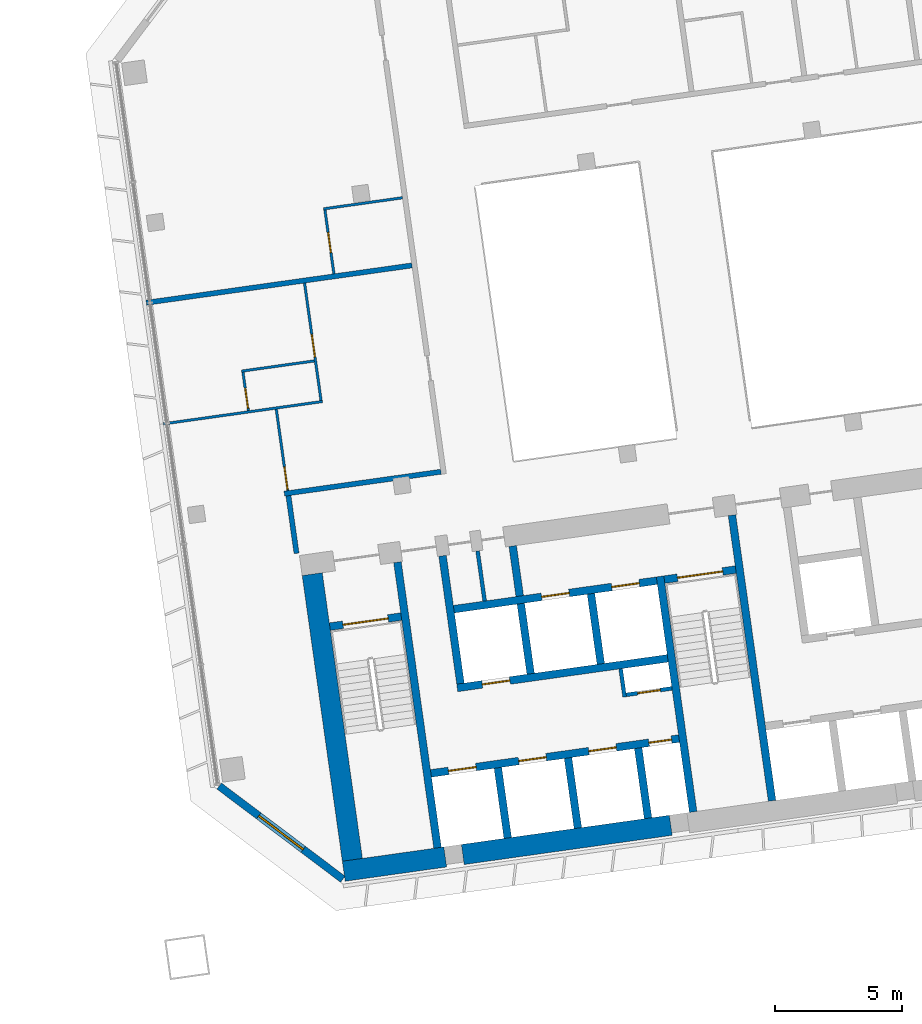
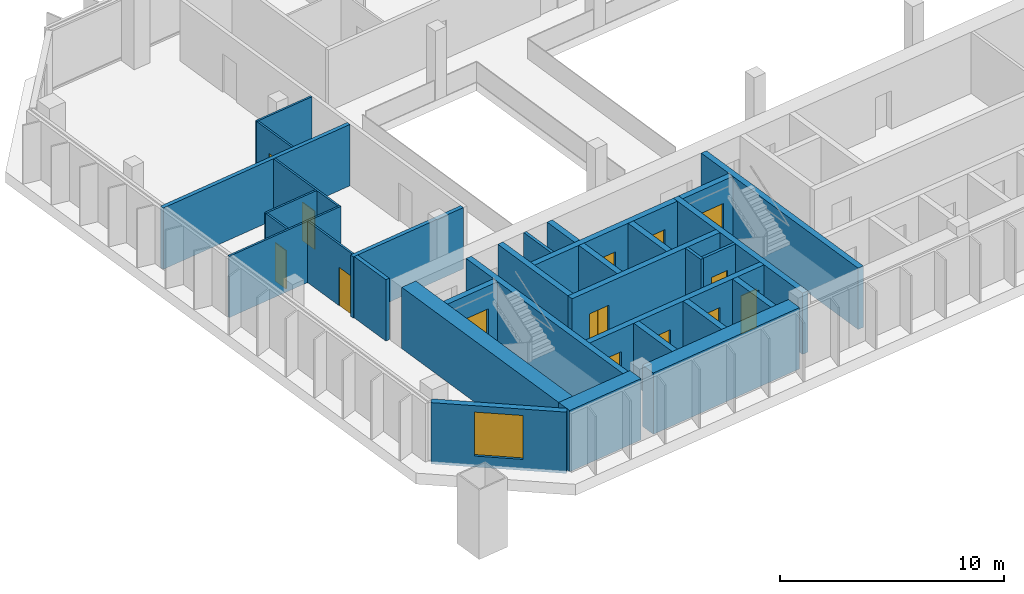
# One storey, part 18 of 25: 32 walls, 14 doors, 1 window, 15 openings.
"""IFC4 building model written with IfcOpenShell, lengths in metres."""

from ifc_helpers import new_model, si_unit, direction, frame, frame_2d, origin, place, context, subcontext, project, spatial, rectangle, extrude, material, layer, layer_set, type_object, element, fill, save


model = new_model("IFC4")

# Units and contexts
model_context = context("Model", 3, precision=1e-05, world=origin(), true_north=direction((0.0, 1.0)))
body_context = subcontext(model_context, "Body", "Model", "MODEL_VIEW")
ifc_project = project(units=[si_unit("LENGTHUNIT", "METRE"), si_unit("AREAUNIT", "SQUARE_METRE"), si_unit("VOLUMEUNIT", "CUBIC_METRE"), si_unit("PLANEANGLEUNIT", "RADIAN"), si_unit("MASSUNIT", "GRAM", prefix="KILO")], contexts=[model_context])

# Site, building, storey
site_placement = place(None, origin())
site = spatial("IfcSite", under=ifc_project, at=site_placement, CompositionType="ELEMENT")
building_placement = place(site_placement, origin())
building = spatial("IfcBuilding", under=site, at=building_placement, Name="Mirante Cascada Hotel Towers", CompositionType="ELEMENT")
storey_placement = place(building_placement, frame((0.0, 0.0, 136.7)))
storey = spatial("IfcBuildingStorey", under=building, at=storey_placement, Name="L31", CompositionType="ELEMENT", Elevation=136.7)

# Walls
ifc_material_1 = material(Name="Fire-rated plasterboard on metal studs")
ifc_layer_1 = layer(ifc_material_1, 0.2)
ifc_layer_set_1 = layer_set([ifc_layer_1], Name="Compartment wall 200 EI 120")
wall_type_1 = type_object("IfcWallType", Name="Compartment wall 200 EI 120", PredefinedType="PARTITIONING", material=ifc_layer_set_1)
wall_1_placement = place(storey_placement, frame((40.97, -3.8917, 0.0), z_axis=(0.0, 0.0, 1.0), x_axis=(-0.9902685, -0.1391698, 0.0)))
element("IfcWall", 1, at=wall_1_placement, inside=storey, type_object=wall_type_1, Name="Wall 2-L31-03", PredefinedType="PARTITIONING", context=body_context, shape_type="SweptSolid", body=[
    extrude(rectangle(XDim=6.2499, YDim=0.2, at=frame_2d((3.125, 0.0))), origin(), (0.0, 0.0, 1.0), 3.35),
])
wall_2_placement = place(storey_placement, frame((39.8242, 4.2615, 0.0), z_axis=(0.0, 0.0, 1.0), x_axis=(-0.9902686, -0.1391691, 0.0)))
element("IfcWall", 2, at=wall_2_placement, inside=storey, type_object=wall_type_1, Name="Wall 2-L31-09", PredefinedType="PARTITIONING", context=body_context, shape_type="SweptSolid", body=[
    extrude(rectangle(XDim=10.6001, YDim=0.2, at=frame_2d((5.3, 0.0))), origin(), (0.0, 0.0, 1.0), 3.35),
])
wall_3_placement = place(storey_placement, frame((34.9433, -4.8397, 0.0), z_axis=(0.0, 0.0, 1.0), x_axis=(0.1391749, -0.9902678, 0.0)))
element("IfcWall", 3, at=wall_3_placement, inside=storey, type_object=wall_type_1, Name="Wall 2-L31-23", PredefinedType="PARTITIONING", context=body_context, shape_type="SweptSolid", body=[
    extrude(rectangle(XDim=2.3, YDim=0.2, at=frame_2d((1.15, 0.0))), origin(), (0.0, 0.0, 1.0), 3.35),
])
ifc_material_2 = material(Name="Masonry block", Category="masonry")
ifc_layer_2 = layer(ifc_material_2, 0.15)
ifc_layer_set_2 = layer_set([ifc_layer_2], Name="Core room partition 150 block EI 30")
wall_type_2 = type_object("IfcWallType", Name="Core room partition 150 block EI 30", PredefinedType="PARTITIONING", material=ifc_layer_set_2)
wall_4_placement = place(storey_placement, frame((48.2295, -12.793, 0.0), z_axis=(0.0, 0.0, 1.0), x_axis=(-0.1391935, 0.9902652, 0.0)))
element("IfcWall", 4, at=wall_4_placement, inside=storey, type_object=wall_type_2, Name="Core wall partition T2 L31 2", PredefinedType="PARTITIONING", context=body_context, shape_type="SweptSolid", body=[
    extrude(rectangle(XDim=1.1251, YDim=0.15, at=frame_2d((0.5626, 0.0))), origin(), (0.0, 0.0, 1.0), 3.35),
])

# Wall, opening, door
wall_5_placement = place(storey_placement, frame((48.2933, -12.7083, 0.0), z_axis=(0.0, 0.0, 1.0), x_axis=(0.990268, 0.1391734, 0.0)))
wall_5 = element("IfcWall", 5, at=wall_5_placement, inside=storey, type_object=wall_type_2, Name="Core wall partition T2 L31 3", PredefinedType="PARTITIONING", context=body_context, shape_type="SweptSolid", body=[
    extrude(rectangle(XDim=1.8251, YDim=0.15, at=frame_2d((0.9126, 0.0))), origin(), (0.0, 0.0, 1.0), 3.35),
])
opening_1_placement = place(wall_5_placement, frame((0.4625, 0.0, 0.0)))
opening_1 = element("IfcOpeningElement", 6, at=opening_1_placement, cuts=wall_5, Name="Opening D2-31-C23", PredefinedType="OPENING", context=body_context, shape_type="SweptSolid", body=[
    extrude(rectangle(XDim=0.9, YDim=2.1, at=frame_2d((0.45, 1.05))), frame((0.0, 0.075, 0.0), z_axis=(0.0, -1.0, 0.0), x_axis=(1.0, 0.0, 0.0)), (0.0, 0.0, 1.0), 0.15),
])
ifc_material_3 = material(Name="Hollow metal fire door leaf")
door_type_1 = type_object("IfcDoorType", Name="Fire door 900x2100 FD60", OperationType="NOTDEFINED", PredefinedType="DOOR", material=ifc_material_3)
door_1_placement = place(opening_1_placement, frame((0.9, 0.0, 0.0), z_axis=(0.0, 0.0, 1.0), x_axis=(-1.0, 0.0, 0.0)))
door_1 = element("IfcDoor", 7, at=door_1_placement, inside=storey, type_object=door_type_1, Name="Riser door T2 L31 23", OperationType="SINGLE_SWING_RIGHT", OverallHeight=2.1, OverallWidth=0.9, PredefinedType="DOOR", context=body_context, shape_type="SweptSolid", body=[
    extrude(rectangle(XDim=0.9, YDim=2.1, at=frame_2d((0.45, 1.05))), frame((0.0, 0.025, 0.0), z_axis=(0.0, -1.0, 0.0), x_axis=(1.0, 0.0, 0.0)), (0.0, 0.0, 1.0), 0.05),
])
fill(opening_1, door_1)

# Walls
wall_6_placement = place(storey_placement, frame((42.6979, -9.0009, 0.0), z_axis=(0.0, 0.0, 1.0), x_axis=(-0.1391529, 0.9902709, 0.0)))
element("IfcWall", 8, at=wall_6_placement, inside=storey, type_object=wall_type_2, Name="Core wall partition T2 L31 4", PredefinedType="PARTITIONING", context=body_context, shape_type="SweptSolid", body=[
    extrude(rectangle(XDim=2.0, YDim=0.15, at=frame_2d((1.0, 0.0))), origin(), (0.0, 0.0, 1.0), 3.35),
])
ifc_material_4 = material(Name="Masonry block", Category="masonry")
ifc_layer_3 = layer(ifc_material_4, 0.3)
ifc_layer_set_3 = layer_set([ifc_layer_3], Name="Core wall 300 block EI 120")
wall_type_3 = type_object("IfcWallType", Name="Core wall 300 block EI 120", PredefinedType="PARTITIONING", material=ifc_layer_set_3)
wall_7_placement = place(storey_placement, frame((44.0843, -8.8061, 0.0), z_axis=(0.0, 0.0, 1.0), x_axis=(-0.1391951, 0.990265, 0.0)))
element("IfcWall", 9, at=wall_7_placement, inside=storey, type_object=wall_type_3, Name="Core wall partition T2 L31 1", PredefinedType="PARTITIONING", context=body_context, shape_type="SweptSolid", body=[
    extrude(rectangle(XDim=2.0001, YDim=0.3, at=frame_2d((1.0001, 0.0))), origin(), (0.0, 0.0, 1.0), 3.35),
])
ifc_material_5 = material(Name="Plasterboard on metal studs")
ifc_layer_4 = layer(ifc_material_5, 0.1)
ifc_layer_set_4 = layer_set([ifc_layer_4], Name="Partition 100")
wall_type_4 = type_object("IfcWallType", Name="Partition 100", PredefinedType="PARTITIONING", material=ifc_layer_set_4)
wall_8_placement = place(storey_placement, frame((30.0, -2.0, 0.0), z_axis=(0.0, 0.0, 1.0), x_axis=(0.9902691, 0.1391656, 0.0)))
element("IfcWall", 10, at=wall_8_placement, inside=storey, type_object=wall_type_4, Name="Wall 2-L31-04", PredefinedType="PARTITIONING", context=body_context, shape_type="SweptSolid", body=[
    extrude(rectangle(XDim=6.35, YDim=0.1, at=frame_2d((3.175, 0.0))), origin(), (0.0, 0.0, 1.0), 3.35),
])
wall_9_placement = place(storey_placement, frame((33.0901, 0.0836, 0.0), z_axis=(0.0, 0.0, 1.0), x_axis=(0.9902683, 0.1391714, 0.0)))
element("IfcWall", 11, at=wall_9_placement, inside=storey, type_object=wall_type_4, Name="Wall 2-L31-06", PredefinedType="PARTITIONING", context=body_context, shape_type="SweptSolid", body=[
    extrude(rectangle(XDim=2.9, YDim=0.1, at=frame_2d((1.45, 0.0))), origin(), (0.0, 0.0, 1.0), 3.35),
])
wall_10_placement = place(storey_placement, frame((39.4484, 6.9352, 0.0), z_axis=(0.0, 0.0, 1.0), x_axis=(-0.9902676, -0.1391765, 0.0)))
element("IfcWall", 12, at=wall_10_placement, inside=storey, type_object=wall_type_4, Name="Wall 2-L31-11", PredefinedType="PARTITIONING", context=body_context, shape_type="SweptSolid", body=[
    extrude(rectangle(XDim=3.15, YDim=0.1, at=frame_2d((1.575, 0.0))), origin(), (0.0, 0.0, 1.0), 3.35),
])

# Wall, opening, door
wall_11_placement = place(storey_placement, frame((33.36, -1.4773, 0.0), z_axis=(0.0, 0.0, 1.0), x_axis=(-0.1391749, 0.9902678, 0.0)))
wall_11 = element("IfcWall", 13, at=wall_11_placement, inside=storey, type_object=wall_type_4, Name="Wall 2-L31-22", PredefinedType="PARTITIONING", context=body_context, shape_type="SweptSolid", body=[
    extrude(rectangle(XDim=1.5333, YDim=0.1, at=frame_2d((0.7667, 0.0))), origin(), (0.0, 0.0, 1.0), 3.35),
])
opening_2_placement = place(wall_11_placement, frame((0.1, 0.0, 0.0)))
opening_2 = element("IfcOpeningElement", 14, at=opening_2_placement, cuts=wall_11, Name="Opening D2-L31-18", PredefinedType="OPENING", context=body_context, shape_type="SweptSolid", body=[
    extrude(rectangle(XDim=0.8, YDim=2.1, at=frame_2d((0.4, 1.05))), frame((0.0, 0.05, 0.0), z_axis=(0.0, -1.0, 0.0), x_axis=(1.0, 0.0, 0.0)), (0.0, 0.0, 1.0), 0.1),
])
ifc_material_6 = material(Name="Timber door leaf", Category="wood")
door_type_2 = type_object("IfcDoorType", Name="Bathroom door DG4 800x2100", OperationType="SINGLE_SWING_LEFT", PredefinedType="DOOR", material=ifc_material_6)
door_2_placement = place(opening_2_placement, origin())
door_2 = element("IfcDoor", 15, at=door_2_placement, inside=storey, type_object=door_type_2, Name="Door D2-L31-18", OperationType="SINGLE_SWING_LEFT", OverallHeight=2.1, OverallWidth=0.8, PredefinedType="DOOR", context=body_context, shape_type="SweptSolid", body=[
    extrude(rectangle(XDim=0.8, YDim=2.1, at=frame_2d((0.4, 1.05))), frame((0.0, 0.025, 0.0), z_axis=(0.0, -1.0, 0.0), x_axis=(1.0, 0.0, 0.0)), (0.0, 0.0, 1.0), 0.05),
])
fill(opening_2, door_2)

wall_12_placement = place(storey_placement, frame((34.9155, -4.6416, 0.0), z_axis=(0.0, 0.0, 1.0), x_axis=(-0.1391681, 0.9902688, 0.0)))
wall_12 = element("IfcWall", 16, at=wall_12_placement, inside=storey, type_object=wall_type_4, Name="Wall 2-L31-24", PredefinedType="PARTITIONING", context=body_context, shape_type="SweptSolid", body=[
    extrude(rectangle(XDim=3.25, YDim=0.1, at=frame_2d((1.625, 0.0))), origin(), (0.0, 0.0, 1.0), 3.35),
])
opening_3_placement = place(wall_12_placement, frame((0.05, 0.0, 0.0)))
opening_3 = element("IfcOpeningElement", 17, at=opening_3_placement, cuts=wall_12, Name="Opening D2-L31-19", PredefinedType="OPENING", context=body_context, shape_type="SweptSolid", body=[
    extrude(rectangle(XDim=0.9, YDim=2.1, at=frame_2d((0.45, 1.05))), frame((0.0, 0.05, 0.0), z_axis=(0.0, -1.0, 0.0), x_axis=(1.0, 0.0, 0.0)), (0.0, 0.0, 1.0), 0.1),
])
ifc_material_7 = material(Name="Timber door leaf", Category="wood")
door_type_3 = type_object("IfcDoorType", Name="Room door DG3 900x2100", OperationType="SINGLE_SWING_LEFT", PredefinedType="DOOR", material=ifc_material_7)
door_3_placement = place(opening_3_placement, origin())
door_3 = element("IfcDoor", 18, at=door_3_placement, inside=storey, type_object=door_type_3, Name="Door D2-L31-19", OperationType="SINGLE_SWING_LEFT", OverallHeight=2.1, OverallWidth=0.9, PredefinedType="DOOR", context=body_context, shape_type="SweptSolid", body=[
    extrude(rectangle(XDim=0.9, YDim=2.1, at=frame_2d((0.45, 1.05))), frame((0.0, 0.025, 0.0), z_axis=(0.0, -1.0, 0.0), x_axis=(1.0, 0.0, 0.0)), (0.0, 0.0, 1.0), 0.05),
])
fill(opening_3, door_3)

wall_13_placement = place(storey_placement, frame((35.5799, 3.564, 0.0), z_axis=(0.0, 0.0, 1.0), x_axis=(0.139176, -0.9902677, 0.0)))
wall_13 = element("IfcWall", 19, at=wall_13_placement, inside=storey, type_object=wall_type_4, Name="Wall 2-L31-25", PredefinedType="PARTITIONING", context=body_context, shape_type="SweptSolid", body=[
    extrude(rectangle(XDim=4.6833, YDim=0.1, at=frame_2d((2.3416, 0.0))), origin(), (0.0, 0.0, 1.0), 3.35),
])
opening_4_placement = place(wall_13_placement, frame((2.05, 0.0, 0.0)))
opening_4 = element("IfcOpeningElement", 20, at=opening_4_placement, cuts=wall_13, Name="Opening D2-L31-20", PredefinedType="OPENING", context=body_context, shape_type="SweptSolid", body=[
    extrude(rectangle(XDim=0.9, YDim=2.1, at=frame_2d((0.45, 1.05))), frame((0.0, 0.05, 0.0), z_axis=(0.0, -1.0, 0.0), x_axis=(1.0, 0.0, 0.0)), (0.0, 0.0, 1.0), 0.1),
])
door_4_placement = place(opening_4_placement, origin())
door_4 = element("IfcDoor", 21, at=door_4_placement, inside=storey, type_object=door_type_3, Name="Door D2-L31-20", OperationType="SINGLE_SWING_LEFT", OverallHeight=2.1, OverallWidth=0.9, PredefinedType="DOOR", context=body_context, shape_type="SweptSolid", body=[
    extrude(rectangle(XDim=0.9, YDim=2.1, at=frame_2d((0.45, 1.05))), frame((0.0, 0.025, 0.0), z_axis=(0.0, -1.0, 0.0), x_axis=(1.0, 0.0, 0.0)), (0.0, 0.0, 1.0), 0.05),
])
fill(opening_4, door_4)

wall_14_placement = place(storey_placement, frame((36.7404, 3.9291, 0.0), z_axis=(0.0, 0.0, 1.0), x_axis=(-0.1391755, 0.9902677, 0.0)))
wall_14 = element("IfcWall", 22, at=wall_14_placement, inside=storey, type_object=wall_type_4, Name="Wall 2-L31-26", PredefinedType="PARTITIONING", context=body_context, shape_type="SweptSolid", body=[
    extrude(rectangle(XDim=2.55, YDim=0.1, at=frame_2d((1.275, 0.0))), origin(), (0.0, 0.0, 1.0), 3.35),
])
opening_5_placement = place(wall_14_placement, frame((0.85, 0.0, 0.0)))
opening_5 = element("IfcOpeningElement", 23, at=opening_5_placement, cuts=wall_14, Name="Opening D2-L31-21", PredefinedType="OPENING", context=body_context, shape_type="SweptSolid", body=[
    extrude(rectangle(XDim=0.8, YDim=2.1, at=frame_2d((0.4, 1.05))), frame((0.0, 0.05, 0.0), z_axis=(0.0, -1.0, 0.0), x_axis=(1.0, 0.0, 0.0)), (0.0, 0.0, 1.0), 0.1),
])
door_5_placement = place(opening_5_placement, origin())
door_5 = element("IfcDoor", 24, at=door_5_placement, inside=storey, type_object=door_type_2, Name="Door D2-L31-21", OperationType="SINGLE_SWING_LEFT", OverallHeight=2.1, OverallWidth=0.8, PredefinedType="DOOR", context=body_context, shape_type="SweptSolid", body=[
    extrude(rectangle(XDim=0.8, YDim=2.1, at=frame_2d((0.4, 1.05))), frame((0.0, 0.025, 0.0), z_axis=(0.0, -1.0, 0.0), x_axis=(1.0, 0.0, 0.0)), (0.0, 0.0, 1.0), 0.05),
])
fill(opening_5, door_5)

# Wall, opening, window
ifc_material_8 = material(Name="Precast concrete C40/50", Category="concrete")
ifc_layer_5 = layer(ifc_material_8, 0.3)
ifc_layer_set_5 = layer_set([ifc_layer_5], Name="Precast concrete C40/50 cladding wall 300")
wall_type_5 = type_object("IfcWallType", Name="Precast concrete C40/50 cladding wall 300", PredefinedType="STANDARD", material=ifc_layer_set_5)
wall_15_placement = place(storey_placement, frame((32.2074, -16.3138, 0.0), z_axis=(0.0, 0.0, 1.0), x_axis=(0.7986362, -0.6018141, 0.0)))
wall_15 = element("IfcWall", 25, at=wall_15_placement, inside=storey, type_object=wall_type_5, Name="Corner cladding wall T2 L31 inner rear", PredefinedType="STANDARD", context=body_context, shape_type="SweptSolid", body=[
    extrude(rectangle(XDim=6.1157, YDim=0.3, at=frame_2d((3.0578, 0.0))), origin(), (0.0, 0.0, 1.0), 3.35),
])
opening_6_placement = place(wall_15_placement, frame((1.9578, 0.0, 0.6)))
opening_6 = element("IfcOpeningElement", 26, at=opening_6_placement, cuts=wall_15, Name="Opening W2-31-06", PredefinedType="OPENING", context=body_context, shape_type="SweptSolid", body=[
    extrude(rectangle(XDim=2.2, YDim=2.4, at=frame_2d((1.1, 1.2))), frame((0.0, 0.15, 0.0), z_axis=(0.0, -1.0, 0.0), x_axis=(1.0, 0.0, 0.0)), (0.0, 0.0, 1.0), 0.3),
])
ifc_material_9 = material(Name="Aluminium frame with clear double glazing", Category="aluminium")
window_type = type_object("IfcWindowType", Name="Corner suite window 2200x2400", PartitioningType="DOUBLE_PANEL_VERTICAL", PredefinedType="WINDOW", material=ifc_material_9)
window_placement = place(opening_6_placement, origin())
window = element("IfcWindow", 27, at=window_placement, inside=storey, type_object=window_type, Name="Window W2-31-06", OverallHeight=2.4, OverallWidth=2.2, PartitioningType="SINGLE_PANEL", PredefinedType="WINDOW", context=body_context, shape_type="SweptSolid", body=[
    extrude(rectangle(XDim=2.2, YDim=2.4, at=frame_2d((1.1, 1.2))), frame((0.0, 0.03, 0.0), z_axis=(0.0, -1.0, 0.0), x_axis=(1.0, 0.0, 0.0)), (0.0, 0.0, 1.0), 0.06),
])
fill(opening_6, window)

# Walls
ifc_material_10 = material(Name="Concrete C50/60", Category="concrete")
ifc_layer_6 = layer(ifc_material_10, 0.3)
ifc_layer_set_6 = layer_set([ifc_layer_6], Name="RC core wall 300 C50/60")
wall_type_6 = type_object("IfcWallType", Name="RC core wall 300 C50/60", PredefinedType="SHEAR", material=ifc_layer_set_6)
wall_16_placement = place(storey_placement, frame((40.8373, -18.7548, 0.0), z_axis=(0.0, 0.0, 1.0), x_axis=(-0.1391749, 0.9902678, 0.0)))
element("IfcWall", 28, at=wall_16_placement, inside=storey, type_object=wall_type_6, Name="Core wall T2:L31:5", PredefinedType="SHEAR", context=body_context, shape_type="SweptSolid", body=[
    extrude(rectangle(XDim=11.4, YDim=0.3, at=frame_2d((5.7, 0.0))), origin(), (0.0, 0.0, 1.0), 3.35),
])
wall_17_placement = place(storey_placement, frame((50.938, -17.3352, 0.0), z_axis=(0.0, 0.0, 1.0), x_axis=(-0.1391706, 0.9902684, 0.0)))
element("IfcWall", 29, at=wall_17_placement, inside=storey, type_object=wall_type_6, Name="Core wall T2:L31:6", PredefinedType="SHEAR", context=body_context, shape_type="SweptSolid", body=[
    extrude(rectangle(XDim=9.4, YDim=0.3, at=frame_2d((4.7, 0.0))), origin(), (0.0, 0.0, 1.0), 3.35),
])
wall_18_placement = place(storey_placement, frame((54.0574, -16.8968, 0.0), z_axis=(0.0, 0.0, 1.0), x_axis=(-0.1391761, 0.9902677, 0.0)))
element("IfcWall", 30, at=wall_18_placement, inside=storey, type_object=wall_type_6, Name="Core wall T2:L31:7", PredefinedType="SHEAR", context=body_context, shape_type="SweptSolid", body=[
    extrude(rectangle(XDim=11.3999, YDim=0.3, at=frame_2d((5.7, 0.0))), origin(), (0.0, 0.0, 1.0), 3.35),
])

# Wall, opening, door
wall_19_placement = place(storey_placement, frame((36.5791, -10.0123, 0.0), z_axis=(0.0, 0.0, 1.0), x_axis=(0.9902704, 0.1391564, 0.0)))
wall_19 = element("IfcWall", 31, at=wall_19_placement, inside=storey, type_object=wall_type_6, Name="Core wall T2:L31:9", PredefinedType="SHEAR", context=body_context, shape_type="SweptSolid", body=[
    extrude(rectangle(XDim=2.85, YDim=0.3, at=frame_2d((1.425, 0.0))), origin(), (0.0, 0.0, 1.0), 3.35),
])
opening_7_placement = place(wall_19_placement, frame((0.525, 0.0, 0.0)))
opening_7 = element("IfcOpeningElement", 32, at=opening_7_placement, cuts=wall_19, Name="Opening D2-31-C13", PredefinedType="OPENING", context=body_context, shape_type="SweptSolid", body=[
    extrude(rectangle(XDim=1.8, YDim=2.1, at=frame_2d((0.9, 1.05))), frame((0.0, 0.15, 0.0), z_axis=(0.0, -1.0, 0.0), x_axis=(1.0, 0.0, 0.0)), (0.0, 0.0, 1.0), 0.3),
])
ifc_material_11 = material(Name="Hollow metal fire door leaf")
door_type_4 = type_object("IfcDoorType", Name="Double fire door 1800x2100 FD60", OperationType="DOUBLE_DOOR_SINGLE_SWING", PredefinedType="DOOR", material=ifc_material_11)
door_6_placement = place(opening_7_placement, frame((1.8, 0.0, 0.0), z_axis=(0.0, 0.0, 1.0), x_axis=(-1.0, 0.0, 0.0)))
door_6 = element("IfcDoor", 33, at=door_6_placement, inside=storey, type_object=door_type_4, Name="Stair door T2 L31 13", OperationType="DOUBLE_DOOR_SINGLE_SWING", OverallHeight=2.1, OverallWidth=1.8, PredefinedType="DOOR", context=body_context, shape_type="SweptSolid", body=[
    extrude(rectangle(XDim=0.895, YDim=2.1, at=frame_2d((0.4475, 1.05))), frame((0.0, 0.025, 0.0), z_axis=(0.0, -1.0, 0.0), x_axis=(1.0, 0.0, 0.0)), (0.0, 0.0, 1.0), 0.05),
    extrude(rectangle(XDim=0.895, YDim=2.1, at=frame_2d((1.3525, 1.05))), frame((0.0, 0.025, 0.0), z_axis=(0.0, -1.0, 0.0), x_axis=(1.0, 0.0, 0.0)), (0.0, 0.0, 1.0), 0.05),
])
fill(opening_7, door_6)

wall_20_placement = place(storey_placement, frame((49.7992, -8.1544, 0.0), z_axis=(0.0, 0.0, 1.0), x_axis=(0.9902656, 0.1391909, 0.0)))
wall_20 = element("IfcWall", 34, at=wall_20_placement, inside=storey, type_object=wall_type_6, Name="Core wall T2:L31:10", PredefinedType="SHEAR", context=body_context, shape_type="SweptSolid", body=[
    extrude(rectangle(XDim=2.85, YDim=0.3, at=frame_2d((1.425, 0.0))), origin(), (0.0, 0.0, 1.0), 3.35),
])
opening_8_placement = place(wall_20_placement, frame((0.525, 0.0, 0.0)))
opening_8 = element("IfcOpeningElement", 35, at=opening_8_placement, cuts=wall_20, Name="Opening D2-31-C15", PredefinedType="OPENING", context=body_context, shape_type="SweptSolid", body=[
    extrude(rectangle(XDim=1.8, YDim=2.1, at=frame_2d((0.9, 1.05))), frame((0.0, 0.15, 0.0), z_axis=(0.0, -1.0, 0.0), x_axis=(1.0, 0.0, 0.0)), (0.0, 0.0, 1.0), 0.3),
])
door_7_placement = place(opening_8_placement, frame((1.8, 0.0, 0.0), z_axis=(0.0, 0.0, 1.0), x_axis=(-1.0, 0.0, 0.0)))
door_7 = element("IfcDoor", 36, at=door_7_placement, inside=storey, type_object=door_type_4, Name="Stair door T2 L31 15", OperationType="DOUBLE_DOOR_SINGLE_SWING", OverallHeight=2.1, OverallWidth=1.8, PredefinedType="DOOR", context=body_context, shape_type="SweptSolid", body=[
    extrude(rectangle(XDim=0.895, YDim=2.1, at=frame_2d((0.4475, 1.05))), frame((0.0, 0.025, 0.0), z_axis=(0.0, -1.0, 0.0), x_axis=(1.0, 0.0, 0.0)), (0.0, 0.0, 1.0), 0.05),
    extrude(rectangle(XDim=0.895, YDim=2.1, at=frame_2d((1.3525, 1.05))), frame((0.0, 0.025, 0.0), z_axis=(0.0, -1.0, 0.0), x_axis=(1.0, 0.0, 0.0)), (0.0, 0.0, 1.0), 0.05),
])
fill(opening_8, door_7)

# Wall, openings, doors
wall_21_placement = place(storey_placement, frame((40.5753, -15.8126, 0.0), z_axis=(0.0, 0.0, 1.0), x_axis=(0.9902682, 0.1391725, 0.0)))
wall_21 = element("IfcWall", 37, at=wall_21_placement, inside=storey, type_object=wall_type_6, Name="Core wall T2:L31:12", PredefinedType="SHEAR", context=body_context, shape_type="SweptSolid", body=[
    extrude(rectangle(XDim=9.8999, YDim=0.3, at=frame_2d((4.95, 0.0))), origin(), (0.0, 0.0, 1.0), 3.35),
])
opening_9_placement = place(wall_21_placement, frame((0.7, 0.0, 0.0)))
opening_9 = element("IfcOpeningElement", 38, at=opening_9_placement, cuts=wall_21, Name="Opening LD", PredefinedType="OPENING", context=body_context, shape_type="SweptSolid", body=[
    extrude(rectangle(XDim=1.1, YDim=2.1, at=frame_2d((0.55, 1.05))), frame((0.0, 0.15, 0.0), z_axis=(0.0, -1.0, 0.0), x_axis=(1.0, 0.0, 0.0)), (0.0, 0.0, 1.0), 0.3),
])
opening_10_placement = place(wall_21_placement, frame((3.5, 0.0, 0.0)))
opening_10 = element("IfcOpeningElement", 39, at=opening_10_placement, cuts=wall_21, Name="Opening LD", PredefinedType="OPENING", context=body_context, shape_type="SweptSolid", body=[
    extrude(rectangle(XDim=1.1, YDim=2.1, at=frame_2d((0.55, 1.05))), frame((0.0, 0.15, 0.0), z_axis=(0.0, -1.0, 0.0), x_axis=(1.0, 0.0, 0.0)), (0.0, 0.0, 1.0), 0.3),
])
opening_11_placement = place(wall_21_placement, frame((6.3, 0.0, 0.0)))
opening_11 = element("IfcOpeningElement", 40, at=opening_11_placement, cuts=wall_21, Name="Opening LD", PredefinedType="OPENING", context=body_context, shape_type="SweptSolid", body=[
    extrude(rectangle(XDim=1.1, YDim=2.1, at=frame_2d((0.55, 1.05))), frame((0.0, 0.15, 0.0), z_axis=(0.0, -1.0, 0.0), x_axis=(1.0, 0.0, 0.0)), (0.0, 0.0, 1.0), 0.3),
])
opening_12_placement = place(wall_21_placement, frame((8.7, 0.0, 0.0)))
opening_12 = element("IfcOpeningElement", 41, at=opening_12_placement, cuts=wall_21, Name="Opening D2-31-C22", PredefinedType="OPENING", context=body_context, shape_type="SweptSolid", body=[
    extrude(rectangle(XDim=0.9, YDim=2.1, at=frame_2d((0.45, 1.05))), frame((0.0, 0.15, 0.0), z_axis=(0.0, -1.0, 0.0), x_axis=(1.0, 0.0, 0.0)), (0.0, 0.0, 1.0), 0.3),
])
door_8_placement = place(opening_12_placement, frame((0.9, 0.0, 0.0), z_axis=(0.0, 0.0, 1.0), x_axis=(-1.0, 0.0, 0.0)))
door_8 = element("IfcDoor", 42, at=door_8_placement, inside=storey, type_object=door_type_1, Name="Riser door T2 L31 22", OperationType="SINGLE_SWING_RIGHT", OverallHeight=2.1, OverallWidth=0.9, PredefinedType="DOOR", context=body_context, shape_type="SweptSolid", body=[
    extrude(rectangle(XDim=0.9, YDim=2.1, at=frame_2d((0.45, 1.05))), frame((0.0, 0.025, 0.0), z_axis=(0.0, -1.0, 0.0), x_axis=(1.0, 0.0, 0.0)), (0.0, 0.0, 1.0), 0.05),
])
fill(opening_12, door_8)
ifc_material_12 = material(Name="Stainless steel", Category="steel")
door_type_5 = type_object("IfcDoorType", Name="Lift landing door 1100x2100 EI 120", OperationType="DOUBLE_DOOR_SLIDING", PredefinedType="DOOR", material=ifc_material_12)
door_9_placement = place(opening_9_placement, origin())
door_9 = element("IfcDoor", 43, at=door_9_placement, inside=storey, type_object=door_type_5, Name="Lift landing door HR2-1 L31", OperationType="DOUBLE_DOOR_SLIDING", OverallHeight=2.1, OverallWidth=1.1, PredefinedType="DOOR", context=body_context, shape_type="SweptSolid", body=[
    extrude(rectangle(XDim=0.545, YDim=2.1, at=frame_2d((0.2725, 1.05))), frame((0.0, 0.025, 0.0), z_axis=(0.0, -1.0, 0.0), x_axis=(1.0, 0.0, 0.0)), (0.0, 0.0, 1.0), 0.05),
    extrude(rectangle(XDim=0.545, YDim=2.1, at=frame_2d((0.8275, 1.05))), frame((0.0, 0.025, 0.0), z_axis=(0.0, -1.0, 0.0), x_axis=(1.0, 0.0, 0.0)), (0.0, 0.0, 1.0), 0.05),
])
fill(opening_9, door_9)
door_10_placement = place(opening_10_placement, origin())
door_10 = element("IfcDoor", 44, at=door_10_placement, inside=storey, type_object=door_type_5, Name="Lift landing door HR2-2 L31", OperationType="DOUBLE_DOOR_SLIDING", OverallHeight=2.1, OverallWidth=1.1, PredefinedType="DOOR", context=body_context, shape_type="SweptSolid", body=[
    extrude(rectangle(XDim=0.545, YDim=2.1, at=frame_2d((0.2725, 1.05))), frame((0.0, 0.025, 0.0), z_axis=(0.0, -1.0, 0.0), x_axis=(1.0, 0.0, 0.0)), (0.0, 0.0, 1.0), 0.05),
    extrude(rectangle(XDim=0.545, YDim=2.1, at=frame_2d((0.8275, 1.05))), frame((0.0, 0.025, 0.0), z_axis=(0.0, -1.0, 0.0), x_axis=(1.0, 0.0, 0.0)), (0.0, 0.0, 1.0), 0.05),
])
fill(opening_10, door_10)
door_11_placement = place(opening_11_placement, origin())
door_11 = element("IfcDoor", 45, at=door_11_placement, inside=storey, type_object=door_type_5, Name="Lift landing door HR2-3 L31", OperationType="DOUBLE_DOOR_SLIDING", OverallHeight=2.1, OverallWidth=1.1, PredefinedType="DOOR", context=body_context, shape_type="SweptSolid", body=[
    extrude(rectangle(XDim=0.545, YDim=2.1, at=frame_2d((0.2725, 1.05))), frame((0.0, 0.025, 0.0), z_axis=(0.0, -1.0, 0.0), x_axis=(1.0, 0.0, 0.0)), (0.0, 0.0, 1.0), 0.05),
    extrude(rectangle(XDim=0.545, YDim=2.1, at=frame_2d((0.8275, 1.05))), frame((0.0, 0.025, 0.0), z_axis=(0.0, -1.0, 0.0), x_axis=(1.0, 0.0, 0.0)), (0.0, 0.0, 1.0), 0.05),
])
fill(opening_11, door_11)

# Wall, opening, door
wall_22_placement = place(storey_placement, frame((41.6153, -12.435, 0.0), z_axis=(0.0, 0.0, 1.0), x_axis=(0.9902691, 0.139166, 0.0)))
wall_22 = element("IfcWall", 46, at=wall_22_placement, inside=storey, type_object=wall_type_6, Name="Core wall T2:L31:13", PredefinedType="SHEAR", context=body_context, shape_type="SweptSolid", body=[
    extrude(rectangle(XDim=8.4, YDim=0.3, at=frame_2d((4.2, 0.0))), origin(), (0.0, 0.0, 1.0), 3.35),
])
opening_13_placement = place(wall_22_placement, frame((1.0, 0.0, 0.0)))
opening_13 = element("IfcOpeningElement", 47, at=opening_13_placement, cuts=wall_22, Name="Opening LD", PredefinedType="OPENING", context=body_context, shape_type="SweptSolid", body=[
    extrude(rectangle(XDim=1.1, YDim=2.1, at=frame_2d((0.55, 1.05))), frame((0.0, 0.15, 0.0), z_axis=(0.0, -1.0, 0.0), x_axis=(1.0, 0.0, 0.0)), (0.0, 0.0, 1.0), 0.3),
])
door_12_placement = place(opening_13_placement, origin())
door_12 = element("IfcDoor", 48, at=door_12_placement, inside=storey, type_object=door_type_5, Name="Lift landing door HR2-4 L31", OperationType="DOUBLE_DOOR_SLIDING", OverallHeight=2.1, OverallWidth=1.1, PredefinedType="DOOR", context=body_context, shape_type="SweptSolid", body=[
    extrude(rectangle(XDim=0.545, YDim=2.1, at=frame_2d((0.2725, 1.05))), frame((0.0, 0.025, 0.0), z_axis=(0.0, -1.0, 0.0), x_axis=(1.0, 0.0, 0.0)), (0.0, 0.0, 1.0), 0.05),
    extrude(rectangle(XDim=0.545, YDim=2.1, at=frame_2d((0.8275, 1.05))), frame((0.0, 0.025, 0.0), z_axis=(0.0, -1.0, 0.0), x_axis=(1.0, 0.0, 0.0)), (0.0, 0.0, 1.0), 0.05),
])
fill(opening_13, door_12)

# Wall, openings, doors
wall_23_placement = place(storey_placement, frame((41.481, -9.3234, 0.0), z_axis=(0.0, 0.0, 1.0), x_axis=(0.9902679, 0.1391741, 0.0)))
wall_23 = element("IfcWall", 49, at=wall_23_placement, inside=storey, type_object=wall_type_6, Name="Core wall T2:L31:14", PredefinedType="SHEAR", context=body_context, shape_type="SweptSolid", body=[
    extrude(rectangle(XDim=8.0999, YDim=0.3, at=frame_2d((4.05, 0.0))), origin(), (0.0, 0.0, 1.0), 3.35),
])
opening_14_placement = place(wall_23_placement, frame((3.5, 0.0, 0.0)))
opening_14 = element("IfcOpeningElement", 50, at=opening_14_placement, cuts=wall_23, Name="Opening LD", PredefinedType="OPENING", context=body_context, shape_type="SweptSolid", body=[
    extrude(rectangle(XDim=1.1, YDim=2.1, at=frame_2d((0.55, 1.05))), frame((0.0, 0.15, 0.0), z_axis=(0.0, -1.0, 0.0), x_axis=(1.0, 0.0, 0.0)), (0.0, 0.0, 1.0), 0.3),
])
opening_15_placement = place(wall_23_placement, frame((6.3, 0.0, 0.0)))
opening_15 = element("IfcOpeningElement", 51, at=opening_15_placement, cuts=wall_23, Name="Opening LD", PredefinedType="OPENING", context=body_context, shape_type="SweptSolid", body=[
    extrude(rectangle(XDim=1.1, YDim=2.1, at=frame_2d((0.55, 1.05))), frame((0.0, 0.15, 0.0), z_axis=(0.0, -1.0, 0.0), x_axis=(1.0, 0.0, 0.0)), (0.0, 0.0, 1.0), 0.3),
])
door_13_placement = place(opening_14_placement, origin())
door_13 = element("IfcDoor", 52, at=door_13_placement, inside=storey, type_object=door_type_5, Name="Lift landing door FF3 L31", OperationType="DOUBLE_DOOR_SLIDING", OverallHeight=2.1, OverallWidth=1.1, PredefinedType="DOOR", context=body_context, shape_type="SweptSolid", body=[
    extrude(rectangle(XDim=0.545, YDim=2.1, at=frame_2d((0.2725, 1.05))), frame((0.0, 0.025, 0.0), z_axis=(0.0, -1.0, 0.0), x_axis=(1.0, 0.0, 0.0)), (0.0, 0.0, 1.0), 0.05),
    extrude(rectangle(XDim=0.545, YDim=2.1, at=frame_2d((0.8275, 1.05))), frame((0.0, 0.025, 0.0), z_axis=(0.0, -1.0, 0.0), x_axis=(1.0, 0.0, 0.0)), (0.0, 0.0, 1.0), 0.05),
])
fill(opening_14, door_13)
door_14_placement = place(opening_15_placement, origin())
door_14 = element("IfcDoor", 53, at=door_14_placement, inside=storey, type_object=door_type_5, Name="Lift landing door FF4 L31", OperationType="DOUBLE_DOOR_SLIDING", OverallHeight=2.1, OverallWidth=1.1, PredefinedType="DOOR", context=body_context, shape_type="SweptSolid", body=[
    extrude(rectangle(XDim=0.545, YDim=2.1, at=frame_2d((0.2725, 1.05))), frame((0.0, 0.025, 0.0), z_axis=(0.0, -1.0, 0.0), x_axis=(1.0, 0.0, 0.0)), (0.0, 0.0, 1.0), 0.05),
    extrude(rectangle(XDim=0.545, YDim=2.1, at=frame_2d((0.8275, 1.05))), frame((0.0, 0.025, 0.0), z_axis=(0.0, -1.0, 0.0), x_axis=(1.0, 0.0, 0.0)), (0.0, 0.0, 1.0), 0.05),
])
fill(opening_15, door_14)

# Walls
wall_24_placement = place(storey_placement, frame((43.61, -18.3651, 0.0), z_axis=(0.0, 0.0, 1.0), x_axis=(-0.1391459, 0.9902719, 0.0)))
element("IfcWall", 54, at=wall_24_placement, inside=storey, type_object=wall_type_6, Name="Core wall T2:L31:15", PredefinedType="SHEAR", context=body_context, shape_type="SweptSolid", body=[
    extrude(rectangle(XDim=2.7999, YDim=0.3, at=frame_2d((1.4, 0.0))), origin(), (0.0, 0.0, 1.0), 3.35),
])
wall_25_placement = place(storey_placement, frame((46.3828, -17.9754, 0.0), z_axis=(0.0, 0.0, 1.0), x_axis=(-0.139181, 0.990267, 0.0)))
element("IfcWall", 55, at=wall_25_placement, inside=storey, type_object=wall_type_6, Name="Core wall T2:L31:16", PredefinedType="SHEAR", context=body_context, shape_type="SweptSolid", body=[
    extrude(rectangle(XDim=2.8, YDim=0.3, at=frame_2d((1.4, 0.0))), origin(), (0.0, 0.0, 1.0), 3.35),
])
wall_26_placement = place(storey_placement, frame((49.1555, -17.5857, 0.0), z_axis=(0.0, 0.0, 1.0), x_axis=(-0.1391459, 0.9902719, 0.0)))
element("IfcWall", 56, at=wall_26_placement, inside=storey, type_object=wall_type_6, Name="Core wall T2:L31:17", PredefinedType="SHEAR", context=body_context, shape_type="SweptSolid", body=[
    extrude(rectangle(XDim=2.7999, YDim=0.3, at=frame_2d((1.4, 0.0))), origin(), (0.0, 0.0, 1.0), 3.35),
])
for number, where, z_axis, x_axis, name in (
    (57, (44.5157, -11.8759, 0.0), (0.0, 0.0, 1.0), (-0.139181, 0.990267, 0.0), "Core wall T2:L31:18"),
    (58, (47.2885, -11.4862, 0.0), (0.0, 0.0, 1.0), (-0.139181, 0.990267, 0.0), "Core wall T2:L31:19"),
):
    element("IfcWall", number, at=place(storey_placement, frame(where, z_axis=z_axis, x_axis=x_axis)), inside=storey, type_object=wall_type_6, Name=name, PredefinedType="SHEAR", context=body_context, shape_type="SweptSolid", body=[
        extrude(rectangle(XDim=2.8, YDim=0.3, at=frame_2d((1.4, 0.0))), origin(), (0.0, 0.0, 1.0), 3.35),
    ])
wall_27_placement = place(storey_placement, frame((41.743, -12.2656, 0.0), z_axis=(0.0, 0.0, 1.0), x_axis=(-0.1391755, 0.9902677, 0.0)))
element("IfcWall", 59, at=wall_27_placement, inside=storey, type_object=wall_type_6, Name="Core wall T2:L31:20", PredefinedType="SHEAR", context=body_context, shape_type="SweptSolid", body=[
    extrude(rectangle(XDim=5.1, YDim=0.3, at=frame_2d((2.55, 0.0))), origin(), (0.0, 0.0, 1.0), 3.35),
])
ifc_material_13 = material(Name="Concrete C50/60", Category="concrete")
ifc_layer_7 = layer(ifc_material_13, 0.8)
ifc_layer_set_7 = layer_set([ifc_layer_7], Name="RC core wall 800 C50/60")
wall_type_7 = type_object("IfcWallType", Name="RC core wall 800 C50/60", PredefinedType="SHEAR", material=ifc_layer_set_7)
wall_28_placement = place(storey_placement, frame((37.1299, -19.6798, 0.0), z_axis=(0.0, 0.0, 1.0), x_axis=(0.9902665, 0.1391845, 0.0)))
element("IfcWall", 60, at=wall_28_placement, inside=storey, type_object=wall_type_7, Name="Core wall T2:L31:1.1", PredefinedType="SHEAR", context=body_context, shape_type="SweptSolid", body=[
    extrude(rectangle(XDim=4.05, YDim=0.8, at=frame_2d((2.025, 0.0))), origin(), (0.0, 0.0, 1.0), 3.35),
])
wall_29_placement = place(storey_placement, frame((41.8337, -19.0187, 0.0), z_axis=(0.0, 0.0, 1.0), x_axis=(0.9902686, 0.1391692, 0.0)))
element("IfcWall", 61, at=wall_29_placement, inside=storey, type_object=wall_type_7, Name="Core wall T2:L31:1.2", PredefinedType="SHEAR", context=body_context, shape_type="SweptSolid", body=[
    extrude(rectangle(XDim=8.3, YDim=0.8, at=frame_2d((4.15, 0.0))), origin(), (0.0, 0.0, 1.0), 3.35),
])
wall_30_placement = place(storey_placement, frame((37.4704, -19.228, 0.0), z_axis=(0.0, 0.0, 1.0), x_axis=(-0.1391749, 0.9902678, 0.0)))
element("IfcWall", 62, at=wall_30_placement, inside=storey, type_object=wall_type_7, Name="Core wall T2:L31:3", PredefinedType="SHEAR", context=body_context, shape_type="SweptSolid", body=[
    extrude(rectangle(XDim=11.4, YDim=0.8, at=frame_2d((5.7, 0.0))), origin(), (0.0, 0.0, 1.0), 3.35),
])

save(model, "model.ifc")
